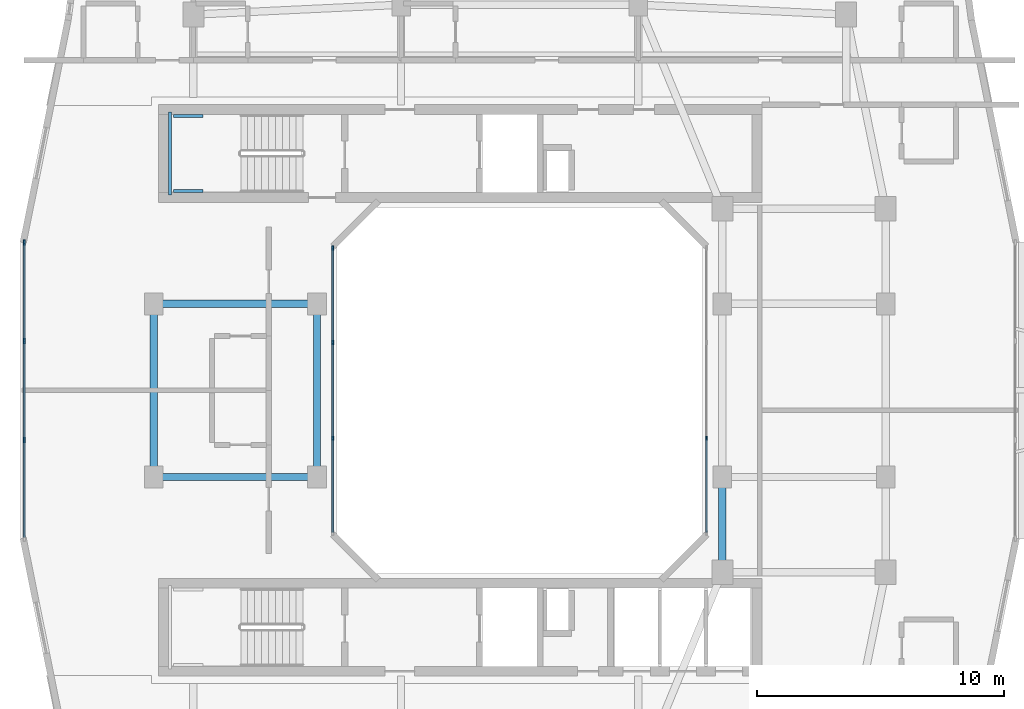
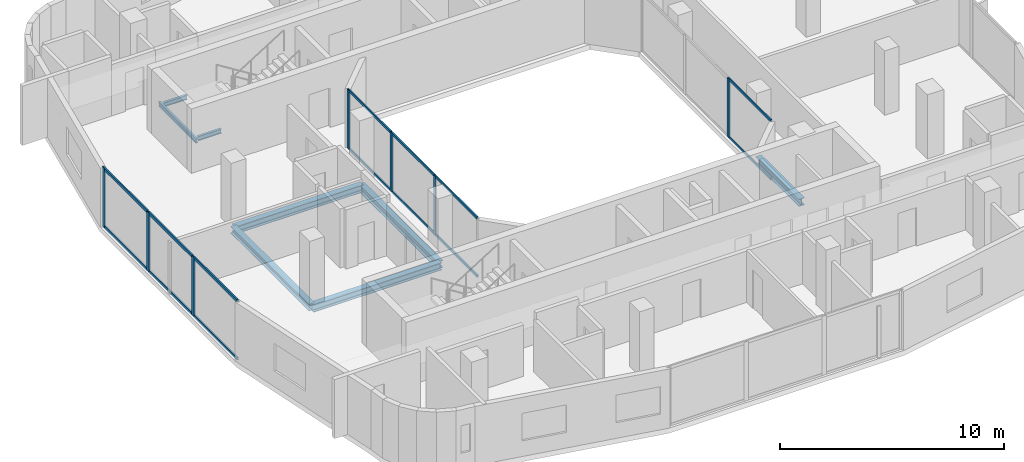
# One storey, part 3 of 14: 21 members, 8 beams, 3 elements without a shape of their own.
"""IFC4 building model written with IfcOpenShell, lengths in metres."""

import ifcopenshell
import ifcopenshell.guid

model = None  # the IFC model being written
_history = None  # IfcOwnerHistory: only IFC2X3 demands one
_inside = {}  # id of a spatial element -> (the spatial element, [elements in it])
_under = {}  # id of a project, library or spatial element -> (it, [spatial elements below it])
_declared = {}  # id of a project -> (the project, [libraries it declares])
_typed = {}  # id of a type object -> (the type object, [elements of that type])
_made_of = {}  # id of a material, layer set ... -> (it, [elements and type objects made of it])


def new_model(schema):
    """Start an empty IFC model of exactly this schema.

    Asked for "IFC4X3", IfcOpenShell would pick the latest addendum, in which some entities
    have other attributes; the version numbers below select the first issue.
    IFC2X3 requires an IfcOwnerHistory on every rooted entity: one is made here for all.
    """
    global model, _history
    if schema == "IFC4X3":
        model = ifcopenshell.file(schema_version=(4, 3, 0, 0))
    else:
        model = ifcopenshell.file(schema=schema)
    _inside.clear()
    _under.clear()
    _declared.clear()
    _typed.clear()
    _made_of.clear()
    _history = None
    if model.schema == "IFC2X3":
        org = make("IfcOrganization", Name="unknown")
        user = make(
            "IfcPersonAndOrganization",
            ThePerson=make("IfcPerson", FamilyName="unknown"),
            TheOrganization=org,
        )
        app = make(
            "IfcApplication",
            ApplicationDeveloper=org,
            Version="unknown",
            ApplicationFullName="unknown",
            ApplicationIdentifier="unknown",
        )
        _history = make(
            "IfcOwnerHistory",
            OwningUser=user,
            OwningApplication=app,
            ChangeAction="ADDED",
            CreationDate=0,
        )
    return model


def make(cls, **values):
    """One entity of the class cls with the attributes given. An attribute that is None is left unset."""
    return model.create_entity(
        cls, **{name: value for name, value in values.items() if value is not None}
    )


def rooted(cls, **values):
    """An entity with a GlobalId (a new one), such as an element, a storey or a relation."""
    return make(cls, GlobalId=ifcopenshell.guid.new(), OwnerHistory=_history, **values)


def si_unit(unit_type, name, prefix=None):
    """IfcSIUnit, for example si_unit("LENGTHUNIT", "METRE", prefix="MILLI")."""
    return make("IfcSIUnit", UnitType=unit_type, Prefix=prefix, Name=name)


def derived_unit(unit_type, elements):
    """IfcDerivedUnit: a product of units, each with its exponent."""
    return make(
        "IfcDerivedUnit",
        Elements=[
            make("IfcDerivedUnitElement", Unit=unit, Exponent=power)
            for unit, power in elements
        ],
        UnitType=unit_type,
    )


def assignment(units):
    """IfcUnitAssignment: the units of a project."""
    return None if units is None else make("IfcUnitAssignment", Units=units)


def point(xyz):
    """IfcCartesianPoint."""
    return None if xyz is None else make("IfcCartesianPoint", Coordinates=xyz)


def direction(xyz):
    """IfcDirection."""
    return None if xyz is None else make("IfcDirection", DirectionRatios=xyz)


def frame(location, z_axis=None, x_axis=None):
    """IfcAxis2Placement3D, a coordinate frame: its origin and axes. An axis left out is left unset."""
    return make(
        "IfcAxis2Placement3D",
        Location=point(location),
        Axis=direction(z_axis),
        RefDirection=direction(x_axis),
    )


def frame_2d(location, x_axis=None):
    """IfcAxis2Placement2D, a coordinate frame in the plane: its origin and x axis."""
    return make(
        "IfcAxis2Placement2D", Location=point(location), RefDirection=direction(x_axis)
    )


def origin():
    """The frame at (0, 0, 0) with its axes left unset."""
    return frame((0.0, 0.0, 0.0))


def origin_2d():
    """The frame at (0, 0) in the plane with its x axis left unset."""
    return frame_2d((0.0, 0.0))


def place(relative_to, where):
    """IfcLocalPlacement: puts the frame where relative to a parent placement (None: the world)."""
    return make(
        "IfcLocalPlacement", PlacementRelTo=relative_to, RelativePlacement=where
    )


def context(
    kind, dimensions, precision=None, world=None, true_north=None, identifier=None
):
    """IfcGeometricRepresentationContext, for example the 3D "Model" context."""
    return make(
        "IfcGeometricRepresentationContext",
        ContextIdentifier=identifier,
        ContextType=kind,
        CoordinateSpaceDimension=dimensions,
        Precision=precision,
        WorldCoordinateSystem=world,
        TrueNorth=true_north,
    )


def subcontext(parent, identifier, kind, view, scale=None):
    """IfcGeometricRepresentationSubContext, for example "Body" below "Model"."""
    return make(
        "IfcGeometricRepresentationSubContext",
        ContextIdentifier=identifier,
        ContextType=kind,
        ParentContext=parent,
        TargetScale=scale,
        TargetView=view,
    )


def project(units=None, contexts=None):
    """IfcProject with its units and contexts."""
    return rooted(
        "IfcProject",
        Name="project",
        RepresentationContexts=contexts,
        UnitsInContext=assignment(units),
    )


def spatial(cls, under=None, at=None, **own):
    """A site, building, storey or space (cls), placed at a placement, below another one or the project."""
    s = rooted(cls, ObjectPlacement=at, **own)
    if under is not None:
        _under.setdefault(under.id(), (under, []))[1].append(s)
    return s


def profile(cls, at=None, kind="AREA", **sizes):
    """A parametric profile (cls). Its sizes go by their IFC names, for example OverallWidth=200.0."""
    return make(cls, ProfileType=kind, Position=at, **sizes)


def rectangle(**sizes):
    """IfcRectangleProfileDef."""
    return profile("IfcRectangleProfileDef", **sizes)


def i_section(**sizes):
    """IfcIShapeProfileDef."""
    return profile("IfcIShapeProfileDef", **sizes)


def extrude(swept, where, along, depth):
    """IfcExtrudedAreaSolid: the profile swept, set in the frame where, extruded along a direction by depth."""
    return make(
        "IfcExtrudedAreaSolid",
        SweptArea=swept,
        Position=where,
        ExtrudedDirection=direction(along),
        Depth=depth,
    )


def shape(context_of_items, identifier, shape_type, items):
    """IfcShapeRepresentation: the items that make up one representation, for example the "Body"."""
    return make(
        "IfcShapeRepresentation",
        ContextOfItems=context_of_items,
        RepresentationIdentifier=identifier,
        RepresentationType=shape_type,
        Items=items,
    )


def material(Name=None, Category=None):
    """IfcMaterial."""
    return make("IfcMaterial", Name=Name, Category=Category)


def layer(
    of_material, thickness, ventilated=None, Name=None, Category=None, Priority=None
):
    """IfcMaterialLayer: one layer of a wall or slab, of a material (None: an air gap)."""
    return make(
        "IfcMaterialLayer",
        Material=of_material,
        LayerThickness=thickness,
        IsVentilated=ventilated,
        Name=Name,
        Category=Category,
        Priority=Priority,
    )


def layer_set(layers, Name=None):
    """IfcMaterialLayerSet."""
    return make("IfcMaterialLayerSet", MaterialLayers=layers, LayerSetName=Name)


def material_profile(
    of_material, cross_section, Name=None, Category=None, Priority=None
):
    """IfcMaterialProfile: a cross section and its material."""
    return make(
        "IfcMaterialProfile",
        Name=Name,
        Material=of_material,
        Profile=cross_section,
        Priority=Priority,
        Category=Category,
    )


def profile_set(profiles, Name=None, composite=None):
    """IfcMaterialProfileSet."""
    return make(
        "IfcMaterialProfileSet",
        Name=Name,
        MaterialProfiles=profiles,
        CompositeProfile=composite,
    )


def made_of(thing, what):
    """Note that an element or type object is made of a material, layer set ...; save() writes the relation."""
    if what is not None:
        _made_of.setdefault(what.id(), (what, []))[1].append(thing)
    return thing


def type_object(cls, material=None, **own):
    """A type object (cls), such as IfcWallType, which elements share."""
    return made_of(rooted(cls, **own), material)


def element(
    cls,
    number,
    at=None,
    inside=None,
    cuts=None,
    type_object=None,
    material=None,
    context=None,
    identifier="Body",
    shape_type=None,
    held_by="IfcProductDefinitionShape",
    body=None,
    shapes=None,
    **own,
):
    """One element of the class cls, such as IfcWall. Its Tag is "e" and its number.

    at: its placement. inside: the storey or other place that contains it. cuts: it is an
    opening in that element (IfcRelVoidsElement). A single representation is given by context,
    identifier, shape_type and body (its items); several are given by shapes. held_by: the class
    of the entity that holds the representations. save() writes the other relations.
    """
    e = rooted(cls, Tag="e%d" % number, ObjectPlacement=at, **own)
    if body is not None:
        shapes = [shape(context, identifier, shape_type, body)]
    if shapes is not None:
        e.Representation = make(held_by, Representations=shapes)
    if inside is not None:
        _inside.setdefault(inside.id(), (inside, []))[1].append(e)
    if cuts is not None:
        rooted(
            "IfcRelVoidsElement", RelatingBuildingElement=cuts, RelatedOpeningElement=e
        )
    if type_object is not None:
        _typed.setdefault(type_object.id(), (type_object, []))[1].append(e)
    return made_of(e, material)


def aggregate(whole, parts):
    """IfcRelAggregates: a whole, such as a stair, and the parts it consists of."""
    return rooted("IfcRelAggregates", RelatingObject=whole, RelatedObjects=parts)


def save(model, path):
    """Write the relations noted so far, then the file.

    IfcRelAggregates (storeys below a building ...), IfcRelContainedInSpatialStructure (elements
    in a storey), IfcRelDefinesByType, IfcRelAssociatesMaterial and IfcRelDeclares: one each for
    every whole, place, type object, material and project.
    """
    for whole, parts in _under.values():
        aggregate(whole, parts)
    for where, things in _inside.values():
        rooted(
            "IfcRelContainedInSpatialStructure",
            RelatedElements=things,
            RelatingStructure=where,
        )
    for kind, things in _typed.values():
        rooted("IfcRelDefinesByType", RelatedObjects=things, RelatingType=kind)
    for what, things in _made_of.values():
        rooted("IfcRelAssociatesMaterial", RelatedObjects=things, RelatingMaterial=what)
    for by, libraries in _declared.values():
        rooted("IfcRelDeclares", RelatingContext=by, RelatedDefinitions=libraries)
    model.write(path)


model = new_model("IFC4")

# Units and contexts
model_context = context("Model", 3, precision=1e-05, world=origin(), true_north=direction((0.0, 1.0)))
body_context = subcontext(model_context, "Body", "Model", "MODEL_VIEW")
ifc_project = project(units=[si_unit("LENGTHUNIT", "METRE"), si_unit("AREAUNIT", "SQUARE_METRE"), si_unit("VOLUMEUNIT", "CUBIC_METRE"), si_unit("PLANEANGLEUNIT", "RADIAN"), si_unit("MASSUNIT", "GRAM", prefix="KILO"), derived_unit("THERMALTRANSMITTANCEUNIT", [(si_unit("POWERUNIT", "WATT"), 1), (si_unit("LENGTHUNIT", "METRE"), -2), (si_unit("THERMODYNAMICTEMPERATUREUNIT", "KELVIN"), -1)])], contexts=[model_context])

# Site, building, storey
site_placement = place(None, origin())
site = spatial("IfcSite", under=ifc_project, at=site_placement, CompositionType="ELEMENT")
building_placement = place(site_placement, origin())
building = spatial("IfcBuilding", under=site, at=building_placement, Name="Kivonza Crest Hotel", CompositionType="ELEMENT")
storey_placement = place(building_placement, frame((0.0, 0.0, 159.0)))
storey = spatial("IfcBuildingStorey", under=building, at=storey_placement, Name="L43", CompositionType="ELEMENT", Elevation=159.0)

# Beams
ifc_material_1 = material(Name="Steel S355", Category="steel")
ifc_material_profile_1 = material_profile(ifc_material_1, i_section(OverallWidth=0.300048828125, OverallDepth=0.360107421875, WebThickness=0.012451171875, FlangeThickness=0.0224609375, FilletRadius=0.027099609375, at=origin_2d()), Name="HEB 360")
ifc_profile_set_1 = profile_set([ifc_material_profile_1], Name="Steel S355")
beam_type_1 = type_object("IfcBeamType", Name="BM-HEB360", PredefinedType="SPANDREL", material=ifc_profile_set_1)
beam_1_placement = place(storey_placement, frame((6.199951171875, 28.5, -0.4599609375), z_axis=(0.0, -1.0, 0.0), x_axis=(1.0, 0.0, 0.0)))
element("IfcBeam", 1, at=beam_1_placement, inside=storey, type_object=beam_type_1, Name="Tower T1 L43 perimeter spandrel W2-W1", PredefinedType="SPANDREL", context=body_context, shape_type="SweptSolid", body=[
    extrude(i_section(OverallWidth=0.300048828125, OverallDepth=0.360107421875, WebThickness=0.012451171875, FlangeThickness=0.0224609375, FilletRadius=0.027099609375, at=origin_2d()), origin(), (0.0, 0.0, 1.0), 7.0),
])
ifc_material_profile_2 = material_profile(ifc_material_1, i_section(OverallWidth=0.300048828125, OverallDepth=0.39990234375, WebThickness=0.013427734375, FlangeThickness=0.02392578125, FilletRadius=0.027099609375, at=origin_2d()), Name="HEB 400")
ifc_profile_set_2 = profile_set([ifc_material_profile_2], Name="Steel S355")
beam_type_2 = type_object("IfcBeamType", Name="BM-HEB400", PredefinedType="BEAM", material=ifc_profile_set_2)
for number, where, z_axis, x_axis, name in (
    (2, (6.199951171875, 21.5, -0.47998046875), (1.0, 0.0, 0.0), (0.0, 1.0, 0.0), "Tower T1 L43 primary girder W1-WL1"),
    (3, (6.199951171875, 28.5, -0.47998046875), (1.0, 0.0, 0.0), (0.0, 1.0, 0.0), "Tower T1 L43 primary girder W2-WL2"),
):
    element("IfcBeam", number, at=place(storey_placement, frame(where, z_axis=z_axis, x_axis=x_axis)), inside=storey, type_object=beam_type_2, Name=name, PredefinedType="BEAM", context=body_context, shape_type="SweptSolid", body=[
        extrude(i_section(OverallWidth=0.300048828125, OverallDepth=0.39990234375, WebThickness=0.013427734375, FlangeThickness=0.02392578125, FilletRadius=0.027099609375, at=origin_2d()), origin(), (0.0, 0.0, 1.0), 6.60009765625),
    ])
beam_2_placement = place(storey_placement, frame((12.800048828125, 21.5, -0.47998046875), z_axis=(0.0, 1.0, 0.0), x_axis=(-1.0, 0.0, 0.0)))
element("IfcBeam", 4, at=beam_2_placement, inside=storey, type_object=beam_type_2, Name="Tower T1 L43 primary girder WL1-WL2", PredefinedType="BEAM", context=body_context, shape_type="SweptSolid", body=[
    extrude(i_section(OverallWidth=0.300048828125, OverallDepth=0.39990234375, WebThickness=0.013427734375, FlangeThickness=0.02392578125, FilletRadius=0.027099609375, at=origin_2d()), origin(), (0.0, 0.0, 1.0), 7.0),
])
beam_3_placement = place(storey_placement, frame((29.199951171875, 17.64990234375, -0.47998046875), z_axis=(0.0, 1.0, 0.0), x_axis=(-1.0, 0.0, 0.0)))
element("IfcBeam", 5, at=beam_3_placement, inside=storey, type_object=beam_type_2, Name="Tower T1 L43 primary girder TSE-WR1", PredefinedType="BEAM", context=body_context, shape_type="SweptSolid", body=[
    extrude(i_section(OverallWidth=0.300048828125, OverallDepth=0.39990234375, WebThickness=0.013427734375, FlangeThickness=0.02392578125, FilletRadius=0.027099609375, at=origin_2d()), origin(), (0.0, 0.0, 1.0), 3.85009765625),
])
ifc_material_profile_3 = material_profile(ifc_material_1, i_section(OverallWidth=0.1201171875, OverallDepth=0.239990234375, WebThickness=0.006103515625, FlangeThickness=0.009765625, FilletRadius=0.014892578125, at=origin_2d()), Name="IPE 240")
ifc_profile_set_3 = profile_set([ifc_material_profile_3], Name="Steel S355")
beam_type_3 = type_object("IfcBeamType", Name="BM-LLDG-240", PredefinedType="BEAM", material=ifc_profile_set_3)
beam_4_placement = place(storey_placement, frame((6.860107421875, 32.89990234375, 1.429931640625), z_axis=(0.0, 1.0, 0.0), x_axis=(-1.0, 0.0, 0.0)))
element("IfcBeam", 6, at=beam_4_placement, inside=storey, type_object=beam_type_3, Name="Stair ST-T1-N L43 West landing corbel", PredefinedType="BEAM", context=body_context, shape_type="SweptSolid", body=[
    extrude(i_section(OverallWidth=0.1201171875, OverallDepth=0.239990234375, WebThickness=0.006103515625, FlangeThickness=0.009765625, FilletRadius=0.014892578125, at=origin_2d()), origin(), (0.0, 0.0, 1.0), 3.360107421875),
])
for number, where, z_axis, x_axis, name in (
    (7, (6.989990234375, 33.06005859375, 1.429931640625), (1.0, 0.0, 0.0), (0.0, 1.0, 0.0), "Stair ST-T1-N L43 South landing corbel"),
    (8, (6.989990234375, 36.10009765625, 1.429931640625), (1.0, 0.0, 0.0), (0.0, 1.0, 0.0), "Stair ST-T1-N L43 North landing corbel"),
):
    element("IfcBeam", number, at=place(storey_placement, frame(where, z_axis=z_axis, x_axis=x_axis)), inside=storey, type_object=beam_type_3, Name=name, PredefinedType="BEAM", context=body_context, shape_type="SweptSolid", body=[
        extrude(i_section(OverallWidth=0.1201171875, OverallDepth=0.239990234375, WebThickness=0.006103515625, FlangeThickness=0.009765625, FilletRadius=0.014892578125, at=origin_2d()), origin(), (0.0, 0.0, 1.0), 1.2099609375),
    ])

# Curtain wall, member
ifc_material_2 = material(Name="Anodised bronze aluminium and low-E double glazing", Category="aluminium")
ifc_layer_1 = layer(ifc_material_2, 0.159912109375)
ifc_layer_set_1 = layer_set([ifc_layer_1], Name="Anodised bronze aluminium and low-E double glazing")
curtain_wall_type_1 = type_object("IfcCurtainWallType", Name="CW-SYS-5", PredefinedType="NOTDEFINED", material=ifc_layer_set_1)
curtain_wall_1_placement = place(storey_placement, origin())
curtain_wall_1 = element("IfcCurtainWall", 9, at=curtain_wall_1_placement, inside=storey, type_object=curtain_wall_type_1, Name="L43 unitised curtain wall CW-WELL-T1-L43-3", PredefinedType="NOTDEFINED")
ifc_material_3 = material(Name="Anodised bronze aluminium", Category="aluminium")
ifc_material_profile_4 = material_profile(ifc_material_3, rectangle(XDim=0.06494140625, YDim=0.179931640625, at=origin_2d()), Name="CW-M 65x180")
ifc_profile_set_4 = profile_set([ifc_material_profile_4], Name="Anodised bronze aluminium")
member_type_1 = type_object("IfcMemberType", Name="CW-MUL-65x180", PredefinedType="MULLION", material=ifc_profile_set_4)
member_1_placement = place(storey_placement, frame((28.56005859375, 23.066650390625, 0.0), z_axis=(0.0, 0.0, 1.0), x_axis=(-1.0, 0.0, 0.0)))
member_1 = element("IfcMember", 10, at=member_1_placement, type_object=member_type_1, Name="CW-5 mullion 2", PredefinedType="MULLION", context=body_context, shape_type="SweptSolid", body=[
    extrude(rectangle(XDim=0.06494140625, YDim=0.179931640625, at=origin_2d()), origin(), (0.0, 0.0, 1.0), 3.219970703125),
])

# Curtain wall, members
curtain_wall_2_placement = place(storey_placement, origin())
curtain_wall_2 = element("IfcCurtainWall", 11, at=curtain_wall_2_placement, inside=storey, type_object=curtain_wall_type_1, Name="L43 unitised curtain wall CW-WELL-T1-L43-7", PredefinedType="NOTDEFINED")
member_2_placement = place(storey_placement, frame((13.43994140625, 30.767578125, 0.0), z_axis=(0.0, 0.0, 1.0), x_axis=(1.0, 0.0, 0.0)))
member_2 = element("IfcMember", 12, at=member_2_placement, type_object=member_type_1, Name="CW-5 mullion 1", PredefinedType="MULLION", context=body_context, shape_type="SweptSolid", body=[
    extrude(rectangle(XDim=0.06494140625, YDim=0.179931640625, at=origin_2d()), origin(), (0.0, 0.0, 1.0), 3.219970703125),
])
member_3_placement = place(storey_placement, frame((13.43994140625, 26.933349609375, 0.0), z_axis=(0.0, 0.0, 1.0), x_axis=(1.0, 0.0, 0.0)))
member_3 = element("IfcMember", 13, at=member_3_placement, type_object=member_type_1, Name="CW-5 mullion 2", PredefinedType="MULLION", context=body_context, shape_type="SweptSolid", body=[
    extrude(rectangle(XDim=0.06494140625, YDim=0.179931640625, at=origin_2d()), origin(), (0.0, 0.0, 1.0), 3.219970703125),
])
member_4_placement = place(storey_placement, frame((13.43994140625, 23.066650390625, 0.0), z_axis=(0.0, 0.0, 1.0), x_axis=(1.0, 0.0, 0.0)))
member_4 = element("IfcMember", 14, at=member_4_placement, type_object=member_type_1, Name="CW-5 mullion 3", PredefinedType="MULLION", context=body_context, shape_type="SweptSolid", body=[
    extrude(rectangle(XDim=0.06494140625, YDim=0.179931640625, at=origin_2d()), origin(), (0.0, 0.0, 1.0), 3.219970703125),
])

ifc_layer_2 = layer(ifc_material_2, 0.179931640625)
ifc_layer_set_2 = layer_set([ifc_layer_2], Name="Anodised bronze aluminium and low-E double glazing")
curtain_wall_type_2 = type_object("IfcCurtainWallType", Name="CW-SYS-3", PredefinedType="NOTDEFINED", material=ifc_layer_set_2)
curtain_wall_3_placement = place(storey_placement, origin())
curtain_wall_3 = element("IfcCurtainWall", 15, at=curtain_wall_3_placement, inside=storey, type_object=curtain_wall_type_2, Name="L43 unitised curtain wall CW-T1-L43-35", PredefinedType="NOTDEFINED")
ifc_material_profile_5 = material_profile(ifc_material_3, rectangle(XDim=0.074951171875, YDim=0.219970703125, at=origin_2d()), Name="CW-M 75x220")
ifc_profile_set_5 = profile_set([ifc_material_profile_5], Name="Anodised bronze aluminium")
member_type_2 = type_object("IfcMemberType", Name="CW-MUL-75x220", PredefinedType="MULLION", material=ifc_profile_set_5)
member_5_placement = place(storey_placement, frame((0.9599609375, 30.982421875, 0.0), z_axis=(0.0, 0.0, 1.0), x_axis=(1.0, 0.0, 0.0)))
member_5 = element("IfcMember", 16, at=member_5_placement, type_object=member_type_2, Name="CW-3 mullion 1", PredefinedType="MULLION", context=body_context, shape_type="SweptSolid", body=[
    extrude(rectangle(XDim=0.074951171875, YDim=0.219970703125, at=origin_2d()), origin(), (0.0, 0.0, 1.0), 3.219970703125),
])
member_6_placement = place(storey_placement, frame((0.9599609375, 27.006591796875, 0.0), z_axis=(0.0, 0.0, 1.0), x_axis=(1.0, 0.0, 0.0)))
member_6 = element("IfcMember", 17, at=member_6_placement, type_object=member_type_2, Name="CW-3 mullion 2", PredefinedType="MULLION", context=body_context, shape_type="SweptSolid", body=[
    extrude(rectangle(XDim=0.074951171875, YDim=0.219970703125, at=origin_2d()), origin(), (0.0, 0.0, 1.0), 3.219970703125),
])
member_7_placement = place(storey_placement, frame((0.9599609375, 22.993408203125, 0.0), z_axis=(0.0, 0.0, 1.0), x_axis=(1.0, 0.0, 0.0)))
member_7 = element("IfcMember", 18, at=member_7_placement, type_object=member_type_2, Name="CW-3 mullion 3", PredefinedType="MULLION", context=body_context, shape_type="SweptSolid", body=[
    extrude(rectangle(XDim=0.074951171875, YDim=0.219970703125, at=origin_2d()), origin(), (0.0, 0.0, 1.0), 3.219970703125),
])

# Member
ifc_material_profile_6 = material_profile(ifc_material_3, rectangle(XDim=0.06494140625, YDim=0.139892578125, at=origin_2d()), Name="CW-T 65x140")
ifc_profile_set_6 = profile_set([ifc_material_profile_6], Name="Anodised bronze aluminium")
member_type_3 = type_object("IfcMemberType", Name="CW-TRN-65x140", PredefinedType="USERDEFINED", material=ifc_profile_set_6)
member_8_placement = place(storey_placement, frame((28.56005859375, 19.264892578125, 0.032470703125), z_axis=(0.0, 1.0, 0.0), x_axis=(-1.0, 0.0, 0.0)))
member_8 = element("IfcMember", 19, at=member_8_placement, type_object=member_type_3, Name="CW-5 transom 1.1", ObjectType="TRANSOM", PredefinedType="USERDEFINED", context=body_context, shape_type="SweptSolid", body=[
    extrude(rectangle(XDim=0.06494140625, YDim=0.139892578125, at=origin_2d()), origin(), (0.0, 0.0, 1.0), 3.769287109375),
])

member_9_placement = place(storey_placement, frame((28.56005859375, 19.264892578125, 3.1875), z_axis=(0.0, 1.0, 0.0), x_axis=(-1.0, 0.0, 0.0)))
member_9 = element("IfcMember", 20, at=member_9_placement, type_object=member_type_3, Name="CW-5 transom 1.2", ObjectType="TRANSOM", PredefinedType="USERDEFINED", context=body_context, shape_type="SweptSolid", body=[
    extrude(rectangle(XDim=0.06494140625, YDim=0.139892578125, at=origin_2d()), origin(), (0.0, 0.0, 1.0), 3.769287109375),
])

aggregate(curtain_wall_1, [member_1, member_8, member_9])

member_10_placement = place(storey_placement, frame((13.43994140625, 30.735107421875, 0.032470703125), z_axis=(0.0, -1.0, 0.0), x_axis=(1.0, 0.0, 0.0)))
member_10 = element("IfcMember", 21, at=member_10_placement, type_object=member_type_3, Name="CW-5 transom 1.1", ObjectType="TRANSOM", PredefinedType="USERDEFINED", context=body_context, shape_type="SweptSolid", body=[
    extrude(rectangle(XDim=0.06494140625, YDim=0.139892578125, at=origin_2d()), origin(), (0.0, 0.0, 1.0), 3.769287109375),
])

member_11_placement = place(storey_placement, frame((13.43994140625, 30.735107421875, 3.1875), z_axis=(0.0, -1.0, 0.0), x_axis=(1.0, 0.0, 0.0)))
member_11 = element("IfcMember", 22, at=member_11_placement, type_object=member_type_3, Name="CW-5 transom 1.2", ObjectType="TRANSOM", PredefinedType="USERDEFINED", context=body_context, shape_type="SweptSolid", body=[
    extrude(rectangle(XDim=0.06494140625, YDim=0.139892578125, at=origin_2d()), origin(), (0.0, 0.0, 1.0), 3.769287109375),
])

member_12_placement = place(storey_placement, frame((13.43994140625, 26.90087890625, 0.032470703125), z_axis=(0.0, -1.0, 0.0), x_axis=(1.0, 0.0, 0.0)))
member_12 = element("IfcMember", 23, at=member_12_placement, type_object=member_type_3, Name="CW-5 transom 2.1", ObjectType="TRANSOM", PredefinedType="USERDEFINED", context=body_context, shape_type="SweptSolid", body=[
    extrude(rectangle(XDim=0.06494140625, YDim=0.139892578125, at=origin_2d()), origin(), (0.0, 0.0, 1.0), 3.8017578125),
])

member_13_placement = place(storey_placement, frame((13.43994140625, 26.90087890625, 3.1875), z_axis=(0.0, -1.0, 0.0), x_axis=(1.0, 0.0, 0.0)))
member_13 = element("IfcMember", 24, at=member_13_placement, type_object=member_type_3, Name="CW-5 transom 2.2", ObjectType="TRANSOM", PredefinedType="USERDEFINED", context=body_context, shape_type="SweptSolid", body=[
    extrude(rectangle(XDim=0.06494140625, YDim=0.139892578125, at=origin_2d()), origin(), (0.0, 0.0, 1.0), 3.8017578125),
])

member_14_placement = place(storey_placement, frame((13.43994140625, 23.0341796875, 0.032470703125), z_axis=(0.0, -1.0, 0.0), x_axis=(1.0, 0.0, 0.0)))
member_14 = element("IfcMember", 25, at=member_14_placement, type_object=member_type_3, Name="CW-5 transom 3.1", ObjectType="TRANSOM", PredefinedType="USERDEFINED", context=body_context, shape_type="SweptSolid", body=[
    extrude(rectangle(XDim=0.06494140625, YDim=0.139892578125, at=origin_2d()), origin(), (0.0, 0.0, 1.0), 3.769287109375),
])

member_15_placement = place(storey_placement, frame((13.43994140625, 23.0341796875, 3.1875), z_axis=(0.0, -1.0, 0.0), x_axis=(1.0, 0.0, 0.0)))
member_15 = element("IfcMember", 26, at=member_15_placement, type_object=member_type_3, Name="CW-5 transom 3.2", ObjectType="TRANSOM", PredefinedType="USERDEFINED", context=body_context, shape_type="SweptSolid", body=[
    extrude(rectangle(XDim=0.06494140625, YDim=0.139892578125, at=origin_2d()), origin(), (0.0, 0.0, 1.0), 3.769287109375),
])

aggregate(curtain_wall_2, [member_2, member_3, member_4, member_10, member_11, member_12, member_13, member_14, member_15])

ifc_material_profile_7 = material_profile(ifc_material_3, rectangle(XDim=0.074951171875, YDim=0.159912109375, at=origin_2d()), Name="CW-T 75x160")
ifc_profile_set_7 = profile_set([ifc_material_profile_7], Name="Anodised bronze aluminium")
member_type_4 = type_object("IfcMemberType", Name="CW-TRN-75x160", PredefinedType="USERDEFINED", material=ifc_profile_set_7)
member_16_placement = place(storey_placement, frame((0.9599609375, 30.945068359375, 0.03759765625), z_axis=(0.0, -1.0, 0.0), x_axis=(1.0, 0.0, 0.0)))
member_16 = element("IfcMember", 27, at=member_16_placement, type_object=member_type_4, Name="CW-3 transom 1.1", ObjectType="TRANSOM", PredefinedType="USERDEFINED", context=body_context, shape_type="SweptSolid", body=[
    extrude(rectangle(XDim=0.074951171875, YDim=0.159912109375, at=origin_2d()), origin(), (0.0, 0.0, 1.0), 3.90087890625),
])

member_17_placement = place(storey_placement, frame((0.9599609375, 30.945068359375, 3.1826171875), z_axis=(0.0, -1.0, 0.0), x_axis=(1.0, 0.0, 0.0)))
member_17 = element("IfcMember", 28, at=member_17_placement, type_object=member_type_4, Name="CW-3 transom 1.2", ObjectType="TRANSOM", PredefinedType="USERDEFINED", context=body_context, shape_type="SweptSolid", body=[
    extrude(rectangle(XDim=0.074951171875, YDim=0.159912109375, at=origin_2d()), origin(), (0.0, 0.0, 1.0), 3.90087890625),
])

member_18_placement = place(storey_placement, frame((0.9599609375, 26.96923828125, 0.03759765625), z_axis=(0.0, -1.0, 0.0), x_axis=(1.0, 0.0, 0.0)))
member_18 = element("IfcMember", 29, at=member_18_placement, type_object=member_type_4, Name="CW-3 transom 2.1", ObjectType="TRANSOM", PredefinedType="USERDEFINED", context=body_context, shape_type="SweptSolid", body=[
    extrude(rectangle(XDim=0.074951171875, YDim=0.159912109375, at=origin_2d()), origin(), (0.0, 0.0, 1.0), 3.9384765625),
])

member_19_placement = place(storey_placement, frame((0.9599609375, 26.96923828125, 3.1826171875), z_axis=(0.0, -1.0, 0.0), x_axis=(1.0, 0.0, 0.0)))
member_19 = element("IfcMember", 30, at=member_19_placement, type_object=member_type_4, Name="CW-3 transom 2.2", ObjectType="TRANSOM", PredefinedType="USERDEFINED", context=body_context, shape_type="SweptSolid", body=[
    extrude(rectangle(XDim=0.074951171875, YDim=0.159912109375, at=origin_2d()), origin(), (0.0, 0.0, 1.0), 3.9384765625),
])

member_20_placement = place(storey_placement, frame((0.9599609375, 22.955810546875, 0.03759765625), z_axis=(0.0, -1.0, 0.0), x_axis=(1.0, 0.0, 0.0)))
member_20 = element("IfcMember", 31, at=member_20_placement, type_object=member_type_4, Name="CW-3 transom 3.1", ObjectType="TRANSOM", PredefinedType="USERDEFINED", context=body_context, shape_type="SweptSolid", body=[
    extrude(rectangle(XDim=0.074951171875, YDim=0.159912109375, at=origin_2d()), origin(), (0.0, 0.0, 1.0), 3.90087890625),
])

member_21_placement = place(storey_placement, frame((0.9599609375, 22.955810546875, 3.1826171875), z_axis=(0.0, -1.0, 0.0), x_axis=(1.0, 0.0, 0.0)))
member_21 = element("IfcMember", 32, at=member_21_placement, type_object=member_type_4, Name="CW-3 transom 3.2", ObjectType="TRANSOM", PredefinedType="USERDEFINED", context=body_context, shape_type="SweptSolid", body=[
    extrude(rectangle(XDim=0.074951171875, YDim=0.159912109375, at=origin_2d()), origin(), (0.0, 0.0, 1.0), 3.90087890625),
])

aggregate(curtain_wall_3, [member_5, member_6, member_7, member_16, member_17, member_18, member_19, member_20, member_21])

save(model, "model.ifc")
